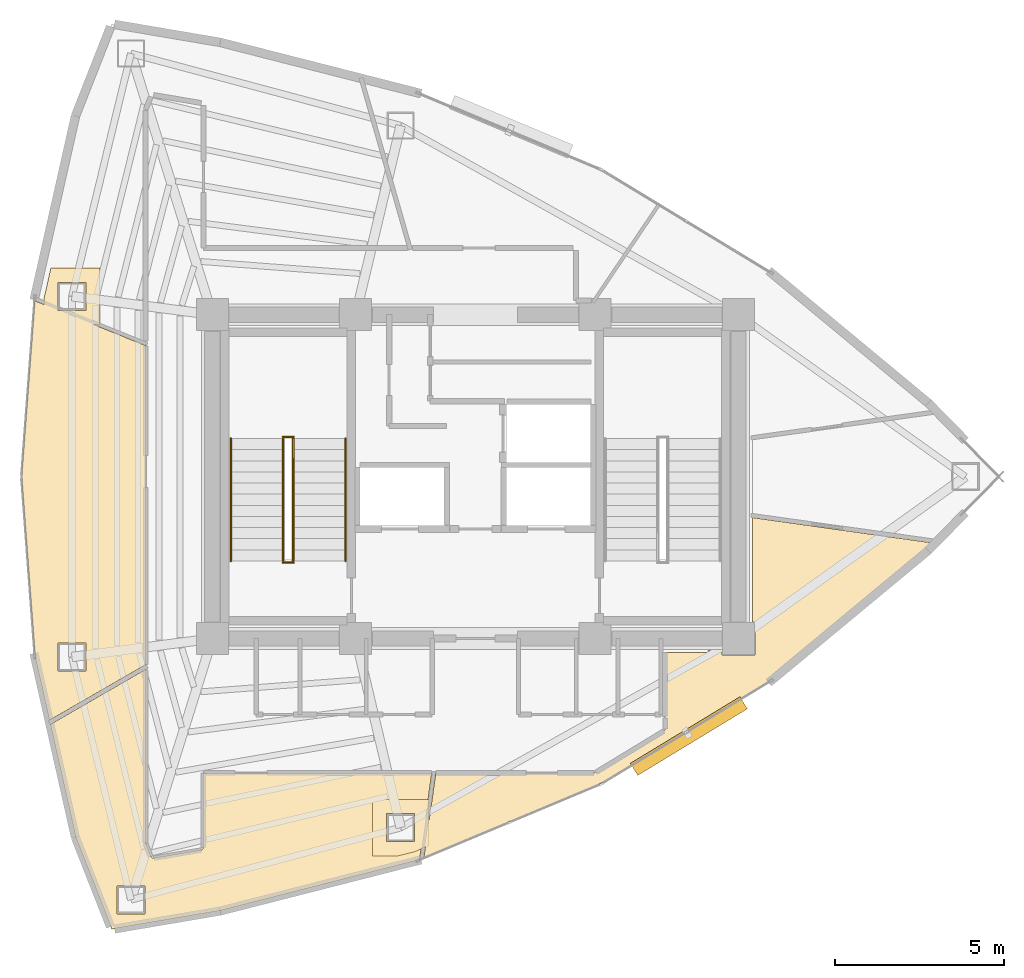
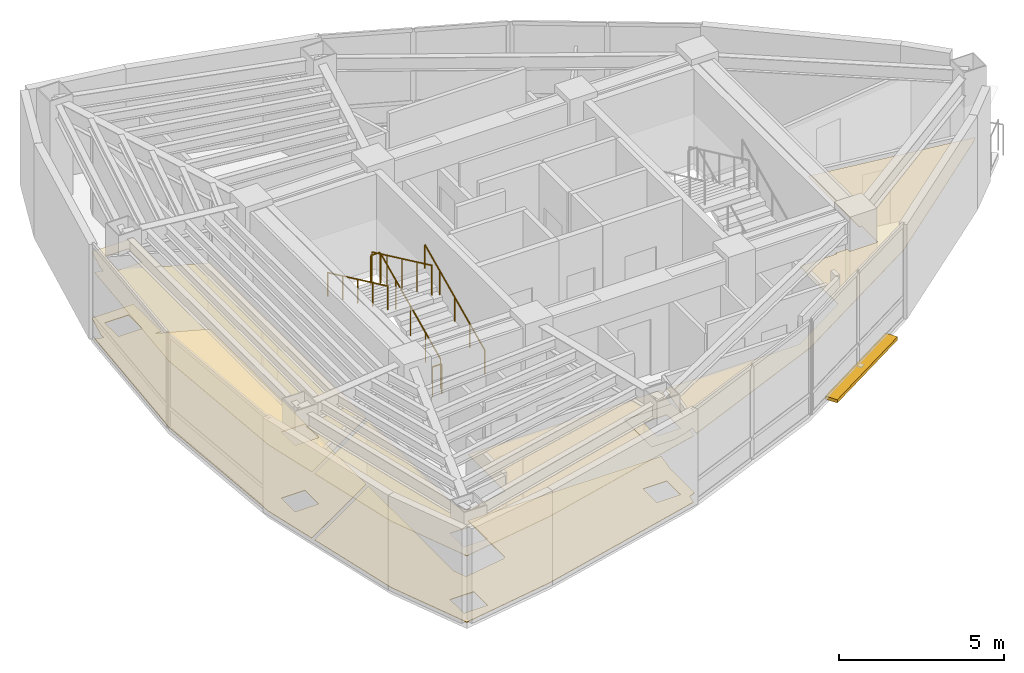
# One storey, part 14 of 15: 6 railings, 5 coverings, 1 shading device.
"""IFC4 building model written with IfcOpenShell, lengths in metres."""

from ifc_helpers import new_model, si_unit, direction, frame, origin, origin_2d, place, context, subcontext, project, spatial, polyline, rectangle, circle, outline, extrude, material, layer, layer_set, type_object, element, save


model = new_model("IFC4")

# Units and contexts
model_context = context("Model", 3, precision=1e-05, world=origin(), true_north=direction((0.0, 1.0)))
body_context = subcontext(model_context, "Body", "Model", "MODEL_VIEW")
ifc_project = project(units=[si_unit("LENGTHUNIT", "METRE"), si_unit("AREAUNIT", "SQUARE_METRE"), si_unit("VOLUMEUNIT", "CUBIC_METRE"), si_unit("PLANEANGLEUNIT", "RADIAN"), si_unit("MASSUNIT", "GRAM", prefix="KILO")], contexts=[model_context])

# Site, building, storey
site_placement = place(None, origin())
site = spatial("IfcSite", under=ifc_project, at=site_placement, CompositionType="ELEMENT")
building_placement = place(site_placement, origin())
building = spatial("IfcBuilding", under=site, at=building_placement, Name="Menara Vayukalpa", CompositionType="ELEMENT")
storey_placement = place(building_placement, frame((0.0, 0.0, 288.06005859375)))
storey = spatial("IfcBuildingStorey", under=building, at=storey_placement, Name="L73", CompositionType="ELEMENT", Elevation=288.06005859375)

# Coverings
ifc_material_1 = material(Name="Mineral Fibre Acoustic Ceiling Tile", Category="masonry")
ifc_layer_1 = layer(ifc_material_1, 0.02490234375)
ifc_layer_set_1 = layer_set([ifc_layer_1], Name="Mineral Fibre Acoustic Ceiling Tile")
covering_type_1 = type_object("IfcCoveringType", Name="COV-CLG1", PredefinedType="CEILING", material=ifc_layer_set_1)
covering_1_placement = place(storey_placement, frame((0.0, 0.0, 2.449951171875)))
element("IfcCovering", 1, at=covering_1_placement, inside=storey, type_object=covering_type_1, Name="L73 Corporate Training Classroom Acoustic Ceiling", PredefinedType="CEILING", context=body_context, shape_type="SweptSolid", body=[
    extrude(outline(polyline([(12.148193359375, 22.0), (12.148193359375, 22.000732421875), (12.537841796875, 27.198486328125), (12.5380859375, 27.19970703125), (12.538330078125, 27.20068359375), (12.53857421875, 27.201416015625), (12.5390625, 27.202392578125), (12.53955078125, 27.203369140625), (12.5400390625, 27.2041015625), (12.540771484375, 27.204833984375), (12.54150390625, 27.20556640625), (12.542236328125, 27.2060546875), (12.54296875, 27.20654296875), (12.5439453125, 27.20703125), (12.544921875, 27.20751953125), (12.5458984375, 27.207763671875), (12.546875, 27.207763671875), (12.5478515625, 27.2080078125), (12.548828125, 27.2080078125), (12.5498046875, 27.207763671875), (12.55078125, 27.20751953125), (12.551513671875, 27.207275390625), (12.803955078125, 27.105224609375), (12.803955078125, 27.13623046875), (12.816650390625, 27.305419921875), (13.013916015625, 28.181640625), (14.47412109375, 28.181640625), (14.47412109375, 26.51171875), (14.27294921875, 26.51171875), (15.82373046875, 25.88525390625), (15.82470703125, 25.884765625), (15.825439453125, 25.88427734375), (15.826416015625, 25.8837890625), (15.826904296875, 25.883056640625), (15.82763671875, 25.88232421875), (15.828369140625, 25.881591796875), (15.828857421875, 25.880615234375), (15.8291015625, 25.8798828125), (15.82958984375, 25.87890625), (15.829833984375, 25.8779296875), (15.830078125, 25.876953125), (15.830078125, 25.8759765625), (15.830078125, 16.434326171875), (15.830078125, 16.433349609375), (15.829833984375, 16.432373046875), (15.82958984375, 16.431396484375), (15.829345703125, 16.4306640625), (15.828857421875, 16.4296875), (15.828369140625, 16.428955078125), (15.827880859375, 16.427978515625), (15.8271484375, 16.427490234375), (15.826416015625, 16.4267578125), (15.82568359375, 16.42626953125), (15.824951171875, 16.425537109375), (12.98291015625, 14.784912109375), (12.982177734375, 14.784423828125), (12.981201171875, 14.783935546875), (12.980224609375, 14.78369140625), (12.979248046875, 14.78369140625), (12.978271484375, 14.783447265625), (12.977294921875, 14.783447265625), (12.976318359375, 14.78369140625), (12.975341796875, 14.78369140625), (12.974365234375, 14.7841796875), (12.973388671875, 14.784423828125), (12.97265625, 14.784912109375), (12.971923828125, 14.78564453125), (12.97119140625, 14.7861328125), (12.970458984375, 14.786865234375), (12.9697265625, 14.78759765625), (12.96923828125, 14.78857421875), (12.968994140625, 14.789306640625), (12.968505859375, 14.790283203125), (12.96826171875, 14.791259765625), (12.549072265625, 16.654052734375), (12.548828125, 16.655517578125), (12.148193359375, 21.999267578125), (12.148193359375, 22.0)]), holes=[polyline([(14.053955078125, 17.068359375), (13.22412109375, 17.068359375), (13.22412109375, 16.23828125), (14.053955078125, 16.23828125), (14.053955078125, 17.068359375)]), polyline([(14.053955078125, 27.76171875), (13.22412109375, 27.76171875), (13.22412109375, 26.931640625), (14.053955078125, 26.931640625), (14.053955078125, 27.76171875)])]), origin(), (0.0, 0.0, 1.0), 0.02490234375),
])
covering_2_placement = place(storey_placement, frame((0.0, 0.0, 2.449951171875)))
element("IfcCovering", 2, at=covering_2_placement, inside=storey, type_object=covering_type_1, Name="L73 Corporate Training Classroom Acoustic Ceiling", PredefinedType="CEILING", context=body_context, shape_type="SweptSolid", body=[
    extrude(outline(polyline([(23.98828125, 10.96337890625), (23.9462890625, 10.664794921875), (23.94580078125, 10.65869140625), (23.945556640625, 10.65771484375), (23.9453125, 10.65673828125), (23.945068359375, 10.65576171875), (23.944580078125, 10.65478515625), (23.944091796875, 10.654052734375), (23.943603515625, 10.6533203125), (23.94287109375, 10.652587890625), (23.942138671875, 10.65185546875), (23.94140625, 10.6513671875), (23.940673828125, 10.65087890625), (23.939697265625, 10.650390625), (23.878662109375, 10.624755859375), (23.877197265625, 10.624267578125), (18.028564453125, 9.1328125), (18.027587890625, 9.132568359375), (14.82861328125, 8.58935546875), (14.827392578125, 8.589111328125), (14.826416015625, 8.589111328125), (14.82568359375, 8.58935546875), (14.82470703125, 8.58935546875), (14.82373046875, 8.589599609375), (14.82275390625, 8.590087890625), (14.822021484375, 8.590576171875), (14.821044921875, 8.591064453125), (14.8203125, 8.591552734375), (14.819580078125, 8.59228515625), (14.81884765625, 8.593017578125), (14.818359375, 8.59375), (14.81787109375, 8.5947265625), (14.8173828125, 8.595458984375), (13.751953125, 11.308837890625), (13.751708984375, 11.309814453125), (13.75146484375, 11.310302734375), (13.00048828125, 14.648193359375), (13.000244140625, 14.649169921875), (13.000244140625, 14.650146484375), (13.000244140625, 14.651123046875), (13.000244140625, 14.652099609375), (13.00048828125, 14.653076171875), (13.0009765625, 14.654052734375), (13.001220703125, 14.65478515625), (13.001708984375, 14.65576171875), (13.002197265625, 14.656494140625), (13.0029296875, 14.6572265625), (13.003662109375, 14.657958984375), (13.00439453125, 14.658447265625), (13.005126953125, 14.6591796875), (15.81494140625, 16.281494140625), (15.81591796875, 16.28173828125), (15.81689453125, 16.2822265625), (15.81787109375, 16.282470703125), (15.81884765625, 16.28271484375), (15.81982421875, 16.28271484375), (15.82080078125, 16.28271484375), (15.82177734375, 16.282470703125), (15.82275390625, 16.2822265625), (15.82373046875, 16.281982421875), (15.82470703125, 16.281494140625), (15.825439453125, 16.281005859375), (15.826171875, 16.280517578125), (15.826904296875, 16.27978515625), (15.82763671875, 16.279052734375), (15.828369140625, 16.2783203125), (15.828857421875, 16.277587890625), (15.8291015625, 16.276611328125), (15.82958984375, 16.275634765625), (15.829833984375, 16.274658203125), (15.830078125, 16.273681640625), (15.830078125, 16.272705078125), (15.830078125, 11.146484375), (15.830322265625, 11.1396484375), (15.831298828125, 11.13330078125), (15.832763671875, 11.126708984375), (15.8349609375, 11.12060546875), (15.984619140625, 10.7392578125), (15.987548828125, 10.732666015625), (15.990966796875, 10.726806640625), (15.994873046875, 10.72119140625), (15.999267578125, 10.716064453125), (16.00439453125, 10.71142578125), (16.009765625, 10.707275390625), (16.015625, 10.70361328125), (16.021484375, 10.700439453125), (16.02783203125, 10.697998046875), (16.034423828125, 10.6962890625), (16.041259765625, 10.695068359375), (16.048095703125, 10.694580078125), (16.054931640625, 10.694580078125), (16.06201171875, 10.695556640625), (17.471435546875, 10.934814453125), (17.478515625, 10.936279296875), (17.485107421875, 10.938720703125), (17.49169921875, 10.94140625), (17.497802734375, 10.94482421875), (17.50341796875, 10.94921875), (17.5087890625, 10.95361328125), (17.513427734375, 10.958740234375), (17.517822265625, 10.96435546875), (17.521484375, 10.97021484375), (17.5244140625, 10.9765625), (17.52685546875, 10.983154296875), (17.528564453125, 10.989990234375), (17.529541015625, 10.996826171875), (17.530029296875, 11.004150390625), (17.530029296875, 13.2099609375), (17.530029296875, 13.2109375), (17.5302734375, 13.2119140625), (17.530517578125, 13.212890625), (17.53076171875, 13.2138671875), (17.53125, 13.214599609375), (17.53173828125, 13.215576171875), (17.5322265625, 13.21630859375), (17.532958984375, 13.217041015625), (17.53369140625, 13.2177734375), (17.534423828125, 13.21826171875), (17.535400390625, 13.21875), (17.5361328125, 13.21923828125), (17.537109375, 13.219482421875), (17.5380859375, 13.2197265625), (17.5390625, 13.219970703125), (17.5400390625, 13.219970703125), (24.2939453125, 13.219970703125), (24.294921875, 13.219970703125), (24.2958984375, 13.2197265625), (24.297119140625, 13.219482421875), (24.2978515625, 13.21923828125), (24.298828125, 13.21875), (24.2998046875, 13.21826171875), (24.300537109375, 13.217529296875), (24.30126953125, 13.216796875), (24.302001953125, 13.21630859375), (24.302490234375, 13.21533203125), (24.302978515625, 13.214599609375), (24.30322265625, 13.213623046875), (24.3037109375, 13.212646484375), (24.303955078125, 13.211669921875), (24.303955078125, 13.210693359375), (24.303955078125, 13.209716796875), (24.303955078125, 13.20849609375), (24.194580078125, 12.43017578125), (24.216796875, 12.43017578125), (24.216796875, 11.05908203125), (23.98828125, 10.96337890625)]), holes=[polyline([(14.97412109375, 9.870361328125), (14.97412109375, 9.040283203125), (15.80419921875, 9.040283203125), (15.80419921875, 9.870361328125), (14.97412109375, 9.870361328125)]), polyline([(23.796875, 12.01025390625), (22.966796875, 12.01025390625), (22.966796875, 11.18017578125), (23.796875, 11.18017578125), (23.796875, 12.01025390625)])]), origin(), (0.0, 0.0, 1.0), 0.02490234375),
])
covering_3_placement = place(storey_placement, frame((0.0, 0.0, 2.449951171875)))
element("IfcCovering", 3, at=covering_3_placement, inside=storey, type_object=covering_type_1, Name="L73 Corporate Training Classroom Acoustic Ceiling", PredefinedType="CEILING", context=body_context, shape_type="SweptSolid", body=[
    extrude(outline(polyline([(24.216796875, 12.43017578125), (24.216796875, 11.727783203125), (24.42529296875, 13.21142578125), (24.425537109375, 13.21240234375), (24.42578125, 13.213134765625), (24.42626953125, 13.214111328125), (24.426513671875, 13.215087890625), (24.427001953125, 13.2158203125), (24.427734375, 13.216552734375), (24.428466796875, 13.21728515625), (24.42919921875, 13.218017578125), (24.429931640625, 13.218505859375), (24.4306640625, 13.218994140625), (24.431640625, 13.21923828125), (24.4326171875, 13.219482421875), (24.433349609375, 13.2197265625), (24.434326171875, 13.219970703125), (24.435302734375, 13.219970703125), (29.109619140625, 13.219970703125), (29.11669921875, 13.220458984375), (29.12353515625, 13.221435546875), (29.13037109375, 13.22314453125), (29.13720703125, 13.2255859375), (29.153076171875, 13.232177734375), (29.157958984375, 13.234375), (29.16259765625, 13.237060546875), (31.18603515625, 14.46630859375), (31.1923828125, 14.470458984375), (31.19775390625, 14.47509765625), (31.20263671875, 14.480224609375), (31.20703125, 14.48583984375), (31.2109375, 14.491943359375), (31.214111328125, 14.498291015625), (31.216552734375, 14.5048828125), (31.218505859375, 14.511962890625), (31.219482421875, 14.51904296875), (31.219970703125, 14.5263671875), (31.219970703125, 14.849609375), (31.219482421875, 14.856689453125), (31.21875, 14.86376953125), (31.217041015625, 14.870361328125), (31.214599609375, 14.876708984375), (31.2119140625, 14.8828125), (31.211669921875, 14.883056640625), (31.211181640625, 14.8837890625), (31.210693359375, 14.884765625), (31.21044921875, 14.8857421875), (31.210205078125, 14.88671875), (31.2099609375, 14.8876953125), (31.2099609375, 14.888671875), (31.2099609375, 16.780029296875), (31.2099609375, 16.781005859375), (31.210205078125, 16.781982421875), (31.21044921875, 16.782958984375), (31.210693359375, 16.78369140625), (31.211181640625, 16.78466796875), (31.211669921875, 16.78564453125), (31.21240234375, 16.786376953125), (31.212890625, 16.787109375), (31.213623046875, 16.78759765625), (31.21435546875, 16.788330078125), (31.21533203125, 16.788818359375), (31.21630859375, 16.789306640625), (31.217041015625, 16.78955078125), (31.218017578125, 16.789794921875), (31.218994140625, 16.7900390625), (31.219970703125, 16.7900390625), (32.489990234375, 16.7900390625), (32.489990234375, 16.85009765625), (32.909912109375, 16.85009765625), (32.909912109375, 16.7099609375), (33.889892578125, 16.7099609375), (33.889892578125, 17.68994140625), (33.81005859375, 17.68994140625), (33.81005859375, 20.774169921875), (33.81005859375, 20.775146484375), (33.810302734375, 20.776123046875), (33.810546875, 20.777099609375), (33.810791015625, 20.778076171875), (33.811279296875, 20.77880859375), (33.811767578125, 20.77978515625), (33.8125, 20.780517578125), (33.81298828125, 20.78125), (33.813720703125, 20.781982421875), (33.814697265625, 20.782470703125), (33.8154296875, 20.782958984375), (33.81640625, 20.783447265625), (33.8173828125, 20.78369140625), (33.818359375, 20.783935546875), (33.8193359375, 20.7841796875), (33.8203125, 20.7841796875), (33.8212890625, 20.783935546875), (39.19970703125, 20.028076171875), (39.20068359375, 20.02783203125), (39.201416015625, 20.027587890625), (39.202392578125, 20.027099609375), (39.203369140625, 20.02685546875), (39.2041015625, 20.026123046875), (39.205078125, 20.025634765625), (39.205810546875, 20.02490234375), (39.206298828125, 20.024169921875), (39.206787109375, 20.023193359375), (39.207275390625, 20.022216796875), (39.207763671875, 20.021484375), (39.2080078125, 20.0205078125), (39.2080078125, 20.01953125), (39.208251953125, 20.0185546875), (39.208251953125, 20.017578125), (39.2080078125, 20.0166015625), (39.207763671875, 20.015380859375), (39.20751953125, 20.014404296875), (39.20703125, 20.013671875), (39.20654296875, 20.0126953125), (39.2060546875, 20.011962890625), (39.205322265625, 20.01123046875), (39.021240234375, 19.82373046875), (39.0205078125, 19.822998046875), (34.374755859375, 15.97021484375), (34.37353515625, 15.969482421875), (29.3271484375, 12.904052734375), (29.326416015625, 12.90380859375), (29.32568359375, 12.9033203125), (24.089599609375, 10.713134765625), (24.088623046875, 10.712646484375), (24.087646484375, 10.71240234375), (24.086669921875, 10.71240234375), (24.085693359375, 10.71240234375), (24.084716796875, 10.71240234375), (24.083740234375, 10.71240234375), (24.082763671875, 10.712890625), (24.081787109375, 10.713134765625), (24.080810546875, 10.713623046875), (24.080078125, 10.714111328125), (24.0791015625, 10.714599609375), (24.07861328125, 10.71533203125), (24.077880859375, 10.716064453125), (24.0771484375, 10.717041015625), (24.07666015625, 10.7177734375), (24.076416015625, 10.71875), (24.075927734375, 10.7197265625), (24.07568359375, 10.720703125), (24.07568359375, 10.7216796875), (24.07568359375, 10.72265625), (24.07568359375, 10.7236328125), (24.116943359375, 11.01708984375), (23.7919921875, 10.881103515625), (23.3173828125, 10.76025390625), (22.546875, 10.76025390625), (22.546875, 12.43017578125), (24.216796875, 12.43017578125)]), holes=[polyline([(23.796875, 12.01025390625), (22.966796875, 12.01025390625), (22.966796875, 11.18017578125), (23.796875, 11.18017578125), (23.796875, 12.01025390625)])]), origin(), (0.0, 0.0, 1.0), 0.02490234375),
])
ifc_material_2 = material(Name="Porcelain Stoneware Floor Tile", Category="masonry")
ifc_layer_2 = layer(ifc_material_2, 0.02001953125)
ifc_layer_set_2 = layer_set([ifc_layer_2], Name="Porcelain Stoneware Floor Tile")
covering_type_2 = type_object("IfcCoveringType", Name="COV-FLR1", PredefinedType="FLOORING", material=ifc_layer_set_2)
covering_4_placement = place(storey_placement, origin())
element("IfcCovering", 4, at=covering_4_placement, inside=storey, type_object=covering_type_2, Name="L73 Corporate Training Classroom Porcelain Flooring", PredefinedType="FLOORING", context=body_context, shape_type="SweptSolid", body=[
    extrude(outline(polyline([(12.148193359375, 22.0), (12.148193359375, 22.000732421875), (12.537841796875, 27.198486328125), (12.5380859375, 27.19970703125), (12.538330078125, 27.20068359375), (12.53857421875, 27.201416015625), (12.5390625, 27.202392578125), (12.53955078125, 27.203369140625), (12.5400390625, 27.2041015625), (12.540771484375, 27.204833984375), (12.54150390625, 27.20556640625), (12.542236328125, 27.2060546875), (12.54296875, 27.20654296875), (12.5439453125, 27.20703125), (12.544921875, 27.20751953125), (12.5458984375, 27.207763671875), (12.546875, 27.207763671875), (12.5478515625, 27.2080078125), (12.548828125, 27.2080078125), (12.5498046875, 27.207763671875), (12.55078125, 27.20751953125), (12.551513671875, 27.207275390625), (12.803955078125, 27.105224609375), (12.803955078125, 27.13623046875), (12.816650390625, 27.305419921875), (13.013916015625, 28.181640625), (14.47412109375, 28.181640625), (14.47412109375, 26.51171875), (14.27294921875, 26.51171875), (15.82373046875, 25.88525390625), (15.82470703125, 25.884765625), (15.825439453125, 25.88427734375), (15.826416015625, 25.8837890625), (15.826904296875, 25.883056640625), (15.82763671875, 25.88232421875), (15.828369140625, 25.881591796875), (15.828857421875, 25.880615234375), (15.8291015625, 25.8798828125), (15.82958984375, 25.87890625), (15.829833984375, 25.8779296875), (15.830078125, 25.876953125), (15.830078125, 25.8759765625), (15.830078125, 16.434326171875), (15.830078125, 16.433349609375), (15.829833984375, 16.432373046875), (15.82958984375, 16.431396484375), (15.829345703125, 16.4306640625), (15.828857421875, 16.4296875), (15.828369140625, 16.428955078125), (15.827880859375, 16.427978515625), (15.8271484375, 16.427490234375), (15.826416015625, 16.4267578125), (15.82568359375, 16.42626953125), (15.824951171875, 16.425537109375), (12.98291015625, 14.784912109375), (12.982177734375, 14.784423828125), (12.981201171875, 14.783935546875), (12.980224609375, 14.78369140625), (12.979248046875, 14.78369140625), (12.978271484375, 14.783447265625), (12.977294921875, 14.783447265625), (12.976318359375, 14.78369140625), (12.975341796875, 14.78369140625), (12.974365234375, 14.7841796875), (12.973388671875, 14.784423828125), (12.97265625, 14.784912109375), (12.971923828125, 14.78564453125), (12.97119140625, 14.7861328125), (12.970458984375, 14.786865234375), (12.9697265625, 14.78759765625), (12.96923828125, 14.78857421875), (12.968994140625, 14.789306640625), (12.968505859375, 14.790283203125), (12.96826171875, 14.791259765625), (12.549072265625, 16.654052734375), (12.548828125, 16.655517578125), (12.148193359375, 21.999267578125), (12.148193359375, 22.0)]), holes=[polyline([(14.053955078125, 17.068359375), (13.22412109375, 17.068359375), (13.22412109375, 16.23828125), (14.053955078125, 16.23828125), (14.053955078125, 17.068359375)]), polyline([(14.053955078125, 27.76171875), (13.22412109375, 27.76171875), (13.22412109375, 26.931640625), (14.053955078125, 26.931640625), (14.053955078125, 27.76171875)])]), origin(), (0.0, 0.0, 1.0), 0.02001953125),
])
covering_5_placement = place(storey_placement, origin())
element("IfcCovering", 5, at=covering_5_placement, inside=storey, type_object=covering_type_2, Name="L73 Corporate Training Classroom Porcelain Flooring", PredefinedType="FLOORING", context=body_context, shape_type="SweptSolid", body=[
    extrude(outline(polyline([(23.98828125, 10.96337890625), (23.9462890625, 10.664794921875), (23.94580078125, 10.65869140625), (23.945556640625, 10.65771484375), (23.9453125, 10.65673828125), (23.945068359375, 10.65576171875), (23.944580078125, 10.65478515625), (23.944091796875, 10.654052734375), (23.943603515625, 10.6533203125), (23.94287109375, 10.652587890625), (23.942138671875, 10.65185546875), (23.94140625, 10.6513671875), (23.940673828125, 10.65087890625), (23.939697265625, 10.650390625), (23.878662109375, 10.624755859375), (23.877197265625, 10.624267578125), (18.028564453125, 9.1328125), (18.027587890625, 9.132568359375), (14.82861328125, 8.58935546875), (14.827392578125, 8.589111328125), (14.826416015625, 8.589111328125), (14.82568359375, 8.58935546875), (14.82470703125, 8.58935546875), (14.82373046875, 8.589599609375), (14.82275390625, 8.590087890625), (14.822021484375, 8.590576171875), (14.821044921875, 8.591064453125), (14.8203125, 8.591552734375), (14.819580078125, 8.59228515625), (14.81884765625, 8.593017578125), (14.818359375, 8.59375), (14.81787109375, 8.5947265625), (14.8173828125, 8.595458984375), (13.751953125, 11.308837890625), (13.751708984375, 11.309814453125), (13.75146484375, 11.310302734375), (13.00048828125, 14.648193359375), (13.000244140625, 14.649169921875), (13.000244140625, 14.650146484375), (13.000244140625, 14.651123046875), (13.000244140625, 14.652099609375), (13.00048828125, 14.653076171875), (13.0009765625, 14.654052734375), (13.001220703125, 14.65478515625), (13.001708984375, 14.65576171875), (13.002197265625, 14.656494140625), (13.0029296875, 14.6572265625), (13.003662109375, 14.657958984375), (13.00439453125, 14.658447265625), (13.005126953125, 14.6591796875), (15.81494140625, 16.281494140625), (15.81591796875, 16.28173828125), (15.81689453125, 16.2822265625), (15.81787109375, 16.282470703125), (15.81884765625, 16.28271484375), (15.81982421875, 16.28271484375), (15.82080078125, 16.28271484375), (15.82177734375, 16.282470703125), (15.82275390625, 16.2822265625), (15.82373046875, 16.281982421875), (15.82470703125, 16.281494140625), (15.825439453125, 16.281005859375), (15.826171875, 16.280517578125), (15.826904296875, 16.27978515625), (15.82763671875, 16.279052734375), (15.828369140625, 16.2783203125), (15.828857421875, 16.277587890625), (15.8291015625, 16.276611328125), (15.82958984375, 16.275634765625), (15.829833984375, 16.274658203125), (15.830078125, 16.273681640625), (15.830078125, 16.272705078125), (15.830078125, 11.146484375), (15.830322265625, 11.1396484375), (15.831298828125, 11.13330078125), (15.832763671875, 11.126708984375), (15.8349609375, 11.12060546875), (15.984619140625, 10.7392578125), (15.987548828125, 10.732666015625), (15.990966796875, 10.726806640625), (15.994873046875, 10.72119140625), (15.999267578125, 10.716064453125), (16.00439453125, 10.71142578125), (16.009765625, 10.707275390625), (16.015625, 10.70361328125), (16.021484375, 10.700439453125), (16.02783203125, 10.697998046875), (16.034423828125, 10.6962890625), (16.041259765625, 10.695068359375), (16.048095703125, 10.694580078125), (16.054931640625, 10.694580078125), (16.06201171875, 10.695556640625), (17.471435546875, 10.934814453125), (17.478515625, 10.936279296875), (17.485107421875, 10.938720703125), (17.49169921875, 10.94140625), (17.497802734375, 10.94482421875), (17.50341796875, 10.94921875), (17.5087890625, 10.95361328125), (17.513427734375, 10.958740234375), (17.517822265625, 10.96435546875), (17.521484375, 10.97021484375), (17.5244140625, 10.9765625), (17.52685546875, 10.983154296875), (17.528564453125, 10.989990234375), (17.529541015625, 10.996826171875), (17.530029296875, 11.004150390625), (17.530029296875, 13.2099609375), (17.530029296875, 13.2109375), (17.5302734375, 13.2119140625), (17.530517578125, 13.212890625), (17.53076171875, 13.2138671875), (17.53125, 13.214599609375), (17.53173828125, 13.215576171875), (17.5322265625, 13.21630859375), (17.532958984375, 13.217041015625), (17.53369140625, 13.2177734375), (17.534423828125, 13.21826171875), (17.535400390625, 13.21875), (17.5361328125, 13.21923828125), (17.537109375, 13.219482421875), (17.5380859375, 13.2197265625), (17.5390625, 13.219970703125), (17.5400390625, 13.219970703125), (24.2939453125, 13.219970703125), (24.294921875, 13.219970703125), (24.2958984375, 13.2197265625), (24.297119140625, 13.219482421875), (24.2978515625, 13.21923828125), (24.298828125, 13.21875), (24.2998046875, 13.21826171875), (24.300537109375, 13.217529296875), (24.30126953125, 13.216796875), (24.302001953125, 13.21630859375), (24.302490234375, 13.21533203125), (24.302978515625, 13.214599609375), (24.30322265625, 13.213623046875), (24.3037109375, 13.212646484375), (24.303955078125, 13.211669921875), (24.303955078125, 13.210693359375), (24.303955078125, 13.209716796875), (24.303955078125, 13.20849609375), (24.194580078125, 12.43017578125), (24.216796875, 12.43017578125), (24.216796875, 11.05908203125), (23.98828125, 10.96337890625)]), holes=[polyline([(14.97412109375, 9.870361328125), (14.97412109375, 9.040283203125), (15.80419921875, 9.040283203125), (15.80419921875, 9.870361328125), (14.97412109375, 9.870361328125)]), polyline([(23.796875, 12.01025390625), (22.966796875, 12.01025390625), (22.966796875, 11.18017578125), (23.796875, 11.18017578125), (23.796875, 12.01025390625)])]), origin(), (0.0, 0.0, 1.0), 0.02001953125),
])

# Railings
ifc_material_3 = material(Name="Powder-Coated Galvanised Steel Guardrail", Category="steel")
railing_type_1 = type_object("IfcRailingType", Name="RLG-STG110", PredefinedType="GUARDRAIL", material=ifc_material_3)
railing_1_placement = place(storey_placement, frame((20.199951171875, 19.5, 0.155029296875)))
element("IfcRailing", 6, at=railing_1_placement, inside=storey, type_object=railing_type_1, Name="L73 ST-1 stair guard 1", PredefinedType="GUARDRAIL", context=body_context, shape_type="SweptSolid", body=[
    extrude(circle(Radius=0.02392578125, at=origin_2d()), frame((0.0, 0.0, 1.09619140625), z_axis=(0.0, 0.90513990983, 0.425113800803), x_axis=(-1.0, 0.0, 0.0)), (0.0, 0.0, 1.0), 4.01025390625),
    extrude(circle(Radius=0.02099609375, at=origin_2d()), origin(), (0.0, 0.0, 1.0), 1.072021484375),
    extrude(circle(Radius=0.02099609375, at=origin_2d()), frame((0.0, 0.907470703125, 0.42626953125)), (0.0, 0.0, 1.0), 1.072021484375),
    extrude(circle(Radius=0.02099609375, at=origin_2d()), frame((0.0, 1.81494140625, 0.8525390625)), (0.0, 0.0, 1.0), 1.072021484375),
    extrude(circle(Radius=0.02099609375, at=origin_2d()), frame((0.0, 2.722412109375, 1.278564453125)), (0.0, 0.0, 1.0), 1.072021484375),
    extrude(circle(Radius=0.02099609375, at=origin_2d()), frame((0.0, 3.6298828125, 1.704833984375)), (0.0, 0.0, 1.0), 1.072021484375),
])
railing_2_placement = place(storey_placement, frame((20.2099609375, 23.179931640625, 1.85986328125)))
element("IfcRailing", 7, at=railing_2_placement, inside=storey, type_object=railing_type_1, Name="L73 ST-1 stair guard 2", PredefinedType="GUARDRAIL", context=body_context, shape_type="SweptSolid", body=[
    extrude(circle(Radius=0.02392578125, at=origin_2d()), frame((0.0, 0.0, 1.09619140625), z_axis=(-1.0, 0.0, 0.0), x_axis=(0.0, -1.0, 0.0)), (0.0, 0.0, 1.0), 0.320068359375),
    extrude(circle(Radius=0.02099609375, at=origin_2d()), origin(), (0.0, 0.0, 1.0), 1.072021484375),
    extrude(circle(Radius=0.02099609375, at=origin_2d()), frame((-0.320068359375, 0.0, 0.0)), (0.0, 0.0, 1.0), 1.072021484375),
])
railing_3_placement = place(storey_placement, frame((19.89990234375, 23.1298828125, 2.014892578125)))
element("IfcRailing", 8, at=railing_3_placement, inside=storey, type_object=railing_type_1, Name="L73 ST-1 stair guard 3", PredefinedType="GUARDRAIL", context=body_context, shape_type="SweptSolid", body=[
    extrude(circle(Radius=0.02392578125, at=origin_2d()), frame((0.0, 0.0, 1.09619140625), z_axis=(0.0, -0.90511648382, 0.425163675209), x_axis=(1.0, 0.0, 0.0)), (0.0, 0.0, 1.0), 4.010498046875),
    extrude(circle(Radius=0.02099609375, at=origin_2d()), origin(), (0.0, 0.0, 1.0), 1.072021484375),
    extrude(circle(Radius=0.02099609375, at=origin_2d()), frame((0.0, -0.907470703125, 0.42626953125)), (0.0, 0.0, 1.0), 1.072021484375),
    extrude(circle(Radius=0.02099609375, at=origin_2d()), frame((0.0, -1.81494140625, 0.8525390625)), (0.0, 0.0, 1.0), 1.072021484375),
    extrude(circle(Radius=0.02099609375, at=origin_2d()), frame((0.0, -2.722412109375, 1.27880859375)), (0.0, 0.0, 1.0), 1.072021484375),
    extrude(circle(Radius=0.02099609375, at=origin_2d()), frame((0.0, -3.6298828125, 1.705078125)), (0.0, 0.0, 1.0), 1.072021484375),
])
railing_4_placement = place(storey_placement, frame((20.2099609375, 19.449951171875, 0.0)))
element("IfcRailing", 9, at=railing_4_placement, inside=storey, type_object=railing_type_1, Name="L73 ST-1 stair guard 4", PredefinedType="GUARDRAIL", context=body_context, shape_type="SweptSolid", body=[
    extrude(circle(Radius=0.02392578125, at=origin_2d()), frame((0.0, 0.0, 1.09619140625), z_axis=(-1.0, 0.0, 0.0), x_axis=(0.0, -1.0, 0.0)), (0.0, 0.0, 1.0), 0.320068359375),
    extrude(circle(Radius=0.02099609375, at=origin_2d()), origin(), (0.0, 0.0, 1.0), 1.072021484375),
    extrude(circle(Radius=0.02099609375, at=origin_2d()), frame((-0.320068359375, 0.0, 0.0)), (0.0, 0.0, 1.0), 1.072021484375),
])
ifc_material_4 = material(Name="Stainless Steel 316 Tubular Handrail", Category="steel")
railing_type_2 = type_object("IfcRailingType", Name="RLG-STH090", PredefinedType="HANDRAIL", material=ifc_material_4)
railing_5_placement = place(storey_placement, frame((21.75, 19.5, 0.155029296875)))
element("IfcRailing", 10, at=railing_5_placement, inside=storey, type_object=railing_type_2, Name="L73 ST-1 stair handrail 1", PredefinedType="HANDRAIL", context=body_context, shape_type="SweptSolid", body=[
    extrude(circle(Radius=0.02392578125, at=origin_2d()), frame((0.0, 0.0, 0.8759765625), z_axis=(0.0, 0.90513990983, 0.425113800803), x_axis=(-1.0, 0.0, 0.0)), (0.0, 0.0, 1.0), 4.01025390625),
    extrude(circle(Radius=0.02099609375, at=origin_2d()), origin(), (0.0, 0.0, 1.0), 0.851806640625),
    extrude(circle(Radius=0.02099609375, at=origin_2d()), frame((0.0, 0.907470703125, 0.42626953125)), (0.0, 0.0, 1.0), 0.851806640625),
    extrude(circle(Radius=0.02099609375, at=origin_2d()), frame((0.0, 1.81494140625, 0.8525390625)), (0.0, 0.0, 1.0), 0.851806640625),
    extrude(circle(Radius=0.02099609375, at=origin_2d()), frame((0.0, 2.722412109375, 1.278564453125)), (0.0, 0.0, 1.0), 0.851806640625),
    extrude(circle(Radius=0.02099609375, at=origin_2d()), frame((0.0, 3.6298828125, 1.704833984375)), (0.0, 0.0, 1.0), 0.851806640625),
])
railing_6_placement = place(storey_placement, frame((18.35009765625, 23.1298828125, 2.014892578125)))
element("IfcRailing", 11, at=railing_6_placement, inside=storey, type_object=railing_type_2, Name="L73 ST-1 stair handrail 2", PredefinedType="HANDRAIL", context=body_context, shape_type="SweptSolid", body=[
    extrude(circle(Radius=0.02392578125, at=origin_2d()), frame((0.0, 0.0, 0.8759765625), z_axis=(0.0, -0.90511648382, 0.425163675209), x_axis=(1.0, 0.0, 0.0)), (0.0, 0.0, 1.0), 4.010498046875),
    extrude(circle(Radius=0.02099609375, at=origin_2d()), origin(), (0.0, 0.0, 1.0), 0.851806640625),
    extrude(circle(Radius=0.02099609375, at=origin_2d()), frame((0.0, -0.907470703125, 0.42626953125)), (0.0, 0.0, 1.0), 0.851806640625),
    extrude(circle(Radius=0.02099609375, at=origin_2d()), frame((0.0, -1.81494140625, 0.8525390625)), (0.0, 0.0, 1.0), 0.851806640625),
    extrude(circle(Radius=0.02099609375, at=origin_2d()), frame((0.0, -2.722412109375, 1.27880859375)), (0.0, 0.0, 1.0), 0.851806640625),
    extrude(circle(Radius=0.02099609375, at=origin_2d()), frame((0.0, -3.6298828125, 1.705078125)), (0.0, 0.0, 1.0), 0.851806640625),
])

# Shading device
ifc_material_5 = material(Name="Glazed Terracotta Ceramic Baguette Extrusion", Category="masonry")
ifc_layer_3 = layer(ifc_material_5, 0.1201171875)
ifc_layer_set_3 = layer_set([ifc_layer_3], Name="Glazed Terracotta Ceramic Baguette Extrusion")
shading_device_type = type_object("IfcShadingDeviceType", Name="SHD-SS1", PredefinedType="USERDEFINED", material=ifc_layer_set_3)
shading_device_placement = place(storey_placement, frame((31.927978515625, 14.30859375, -0.10009765625), z_axis=(0.0, 0.0, 1.0), x_axis=(0.85466730962, 0.519176068272, 0.0)))
element("IfcShadingDevice", 12, at=shading_device_placement, inside=storey, type_object=shading_device_type, Name="L73 Horizontal Terracotta Sunshade Band 17", ObjectType="SUNSHADE", PredefinedType="USERDEFINED", context=body_context, shape_type="SweptSolid", body=[
    extrude(rectangle(XDim=3.800048828125, YDim=0.419921875, at=origin_2d()), origin(), (0.0, 0.0, 1.0), 0.1201171875),
])

save(model, "model.ifc")
